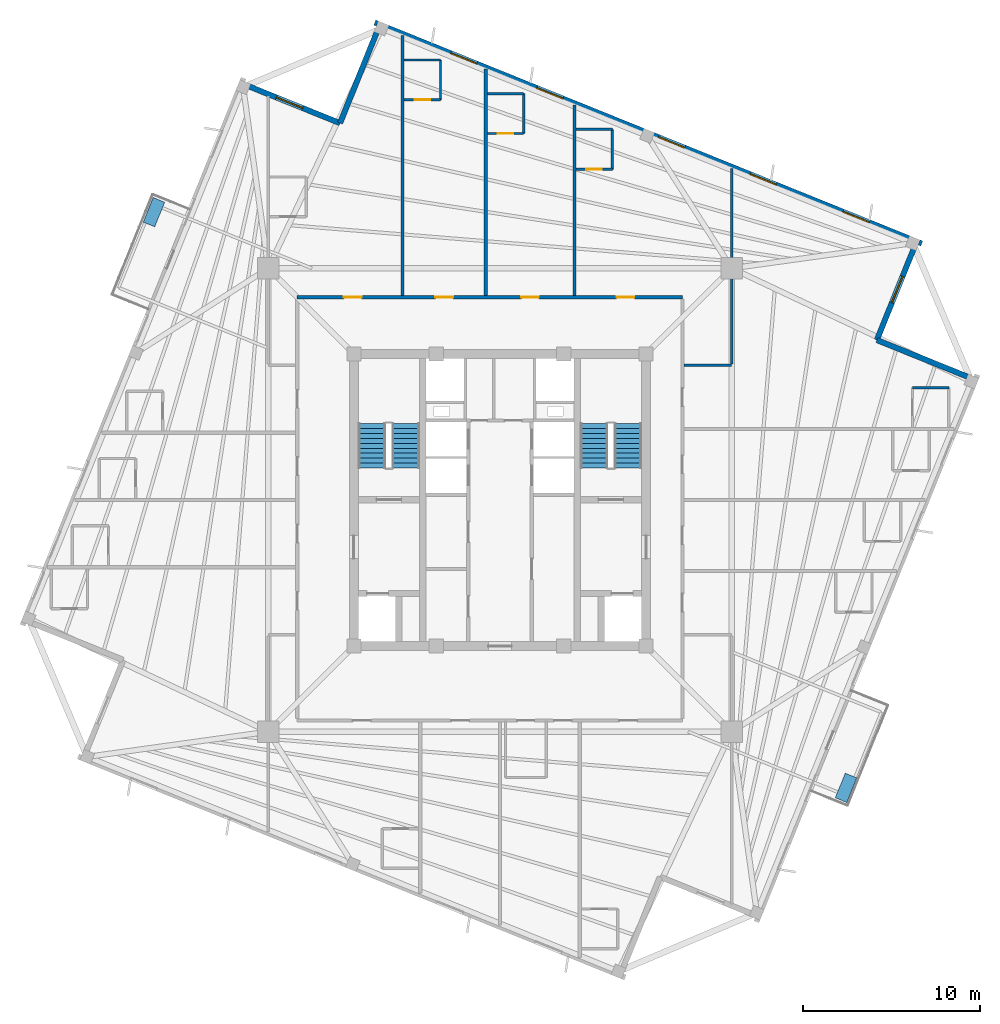
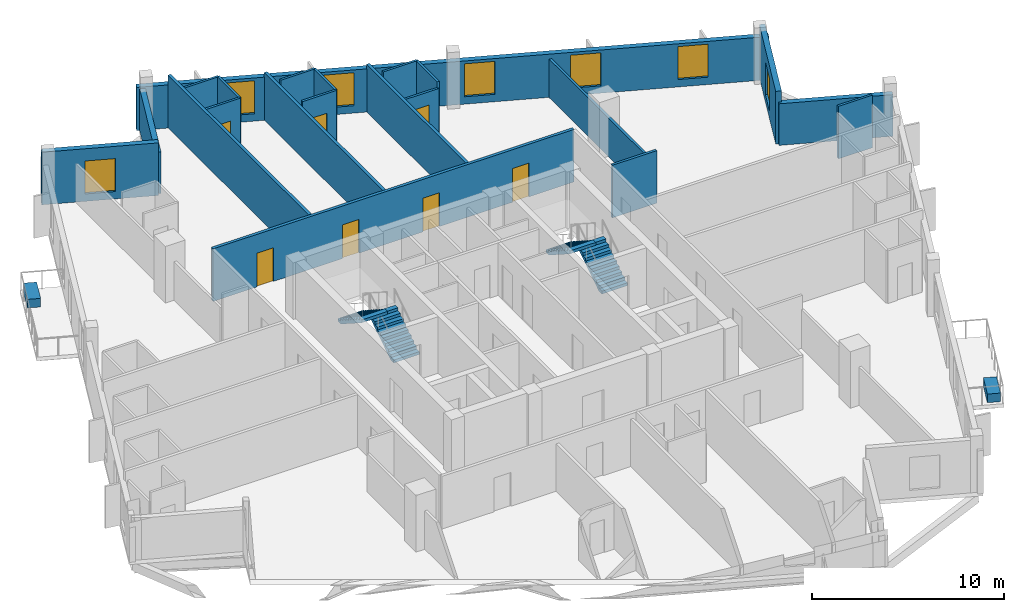
# One storey, part 6 of 9: 21 walls, 7 doors, 7 windows, 4 stair flights, 2 discrete accessories, 14 openings, 2 elements without a shape of their own.
"""IFC4 building model written with IfcOpenShell, lengths in metres."""

from ifc_helpers import new_model, si_unit, direction, frame, frame_2d, origin, origin_2d, place, context, subcontext, project, spatial, polyline, rectangle, outline, extrude, source, transform, mapped, material, layer, layer_set, type_object, element, fill, aggregate, save


model = new_model("IFC4")

# Units and contexts
model_context = context("Model", 3, precision=1e-05, world=origin(), true_north=direction((0.0, 1.0)))
body_context = subcontext(model_context, "Body", "Model", "MODEL_VIEW")
ifc_project = project(units=[si_unit("LENGTHUNIT", "METRE"), si_unit("AREAUNIT", "SQUARE_METRE"), si_unit("VOLUMEUNIT", "CUBIC_METRE"), si_unit("PLANEANGLEUNIT", "RADIAN"), si_unit("MASSUNIT", "GRAM", prefix="KILO"), si_unit("THERMODYNAMICTEMPERATUREUNIT", "KELVIN")], contexts=[model_context])

# Site, building, storey
site_placement = place(None, origin())
site = spatial("IfcSite", under=ifc_project, at=site_placement, CompositionType="ELEMENT")
building_placement = place(site_placement, origin())
building = spatial("IfcBuilding", under=site, at=building_placement, Name="Kosmvard Interchange Tower", CompositionType="ELEMENT")
storey_placement = place(building_placement, frame((0.0, 0.0, 283.199951171875)))
storey = spatial("IfcBuildingStorey", under=building, at=storey_placement, Name="L69", CompositionType="ELEMENT", Elevation=283.199951171875)

# Walls
ifc_material_1 = material(Name="Acoustic gypsum partition system")
ifc_layer_1 = layer(ifc_material_1, 0.14990234375, Name="Acoustic gypsum partition system")
ifc_layer_set_1 = layer_set([ifc_layer_1], Name="Acoustic gypsum partition system")
wall_type_1 = type_object("IfcWallType", Name="Acoustic Suite & Meeting Partition 150", PredefinedType="PARTITIONING", material=ifc_layer_set_1)
wall_1_placement = place(storey_placement, frame((10.39501953125, 7.60009765625, 0.0), z_axis=(0.0, 0.0, 1.0), x_axis=(1.0, 0.0, 0.0)))
element("IfcWall", 1, at=wall_1_placement, inside=storey, type_object=wall_type_1, Name="L69 Room Partition 15.1", PredefinedType="PARTITIONING", context=body_context, shape_type="SweptSolid", body=[
    extrude(rectangle(XDim=2.68603515625, YDim=0.14990234375, at=frame_2d((1.343017578125, 0.0))), origin(), (0.0, 0.0, 1.0), 3.35009765625),
])
wall_2_placement = place(storey_placement, frame((13.0810546875, 7.675048828125, 0.0), z_axis=(0.0, 0.0, 1.0), x_axis=(0.0, 1.0, 0.0)))
element("IfcWall", 2, at=wall_2_placement, inside=storey, type_object=wall_type_1, Name="L69 Room Partition 16.1", PredefinedType="PARTITIONING", context=body_context, shape_type="SweptSolid", body=[
    extrude(rectangle(XDim=11.042724609375, YDim=0.14990234375, at=frame_2d((5.521484375, 0.0))), origin(), (0.0, 0.0, 1.0), 2.449951171875),
])

# Wall, openings, doors
ifc_material_2 = material(Name="Fire-rated gypsum partition system")
ifc_layer_2 = layer(ifc_material_2, 0.179931640625, Name="Fire-rated gypsum partition system")
ifc_layer_set_2 = layer_set([ifc_layer_2], Name="Fire-rated gypsum partition system")
wall_type_2 = type_object("IfcWallType", Name="Corridor & Hotel Compartment Partition 180", PredefinedType="PARTITIONING", material=ifc_layer_set_2)
wall_3_placement = place(storey_placement, frame((-11.449951171875, 11.449951171875, 0.0), z_axis=(0.0, 0.0, 1.0), x_axis=(1.0, 0.0, 0.0)))
wall_3 = element("IfcWall", 3, at=wall_3_placement, inside=storey, type_object=wall_type_2, Name="L69 Corridor Wall CN", PredefinedType="PARTITIONING", context=body_context, shape_type="SweptSolid", body=[
    extrude(rectangle(XDim=21.75, YDim=0.179931640625, at=frame_2d((10.875, 0.0))), origin(), (0.0, 0.0, 1.0), 3.35009765625),
])
opening_1_placement = place(wall_3_placement, frame((2.639404296875, 0.0, 0.0)))
opening_1 = element("IfcOpeningElement", 4, at=opening_1_placement, cuts=wall_3, Name="Opening L69-D06", PredefinedType="OPENING", context=body_context, shape_type="SweptSolid", body=[
    extrude(rectangle(XDim=1.0, YDim=2.14990234375, at=frame_2d((0.5, 1.074951171875))), frame((0.0, 0.10009765625, 0.0), z_axis=(0.0, -1.0, 0.0), x_axis=(1.0, 0.0, 0.0)), (0.0, 0.0, 1.0), 0.199951171875),
])
opening_2_placement = place(wall_3_placement, frame((7.800048828125, 0.0, 0.0)))
opening_2 = element("IfcOpeningElement", 5, at=opening_2_placement, cuts=wall_3, Name="Opening L69-D08", PredefinedType="OPENING", context=body_context, shape_type="SweptSolid", body=[
    extrude(rectangle(XDim=1.0, YDim=2.14990234375, at=frame_2d((0.5, 1.074951171875))), frame((0.0, 0.10009765625, 0.0), z_axis=(0.0, -1.0, 0.0), x_axis=(1.0, 0.0, 0.0)), (0.0, 0.0, 1.0), 0.199951171875),
])
opening_3_placement = place(wall_3_placement, frame((12.64990234375, 0.0, 0.0)))
opening_3 = element("IfcOpeningElement", 6, at=opening_3_placement, cuts=wall_3, Name="Opening L69-D10", PredefinedType="OPENING", context=body_context, shape_type="SweptSolid", body=[
    extrude(rectangle(XDim=1.0, YDim=2.14990234375, at=frame_2d((0.5, 1.074951171875))), frame((0.0, 0.10009765625, 0.0), z_axis=(0.0, -1.0, 0.0), x_axis=(1.0, 0.0, 0.0)), (0.0, 0.0, 1.0), 0.199951171875),
])
opening_4_placement = place(wall_3_placement, frame((18.03564453125, 0.0, 0.0)))
opening_4 = element("IfcOpeningElement", 7, at=opening_4_placement, cuts=wall_3, Name="Opening L69-D12", PredefinedType="OPENING", context=body_context, shape_type="SweptSolid", body=[
    extrude(rectangle(XDim=1.0, YDim=2.14990234375, at=frame_2d((0.5, 1.074951171875))), frame((0.0, 0.10009765625, 0.0), z_axis=(0.0, -1.0, 0.0), x_axis=(1.0, 0.0, 0.0)), (0.0, 0.0, 1.0), 0.199951171875),
])
ifc_material_3 = material(Name="Engineered oak fire-rated timber", Category="wood")
door_type_1 = type_object("IfcDoorType", Name="Hotel Guestroom Entrance Door 1000x2150 EI60", OperationType="NOTDEFINED", PredefinedType="DOOR", material=ifc_material_3)
shared_shape_1 = source(origin(), body_context, "Body", "SweptSolid", [
    extrude(rectangle(XDim=1.0, YDim=2.14990234375, at=frame_2d((0.5, 1.074951171875))), frame((0.0, 0.02490234375, 0.0), z_axis=(0.0, -1.0, 0.0), x_axis=(1.0, 0.0, 0.0)), (0.0, 0.0, 1.0), 0.050048828125),
])
door_1_placement = place(opening_1_placement, origin())
door_1 = element("IfcDoor", 8, at=door_1_placement, inside=storey, type_object=door_type_1, Name="L69 Hotel Standard Junior Suite 3 Door", OperationType="SINGLE_SWING_RIGHT", OverallHeight=2.14990234375, OverallWidth=1.0, PredefinedType="DOOR", context=body_context, shape_type="MappedRepresentation", body=[
    mapped(shared_shape_1, transform((0.0, 0.0, 0.0), scale=1.0)),
])
fill(opening_1, door_1)
door_2_placement = place(opening_2_placement, origin())
door_2 = element("IfcDoor", 9, at=door_2_placement, inside=storey, type_object=door_type_1, Name="L69 Hotel Corner Suite 1 Door", OperationType="SINGLE_SWING_RIGHT", OverallHeight=2.14990234375, OverallWidth=1.0, PredefinedType="DOOR", context=body_context, shape_type="MappedRepresentation", body=[
    mapped(shared_shape_1, transform((0.0, 0.0, 0.0), scale=1.0)),
])
fill(opening_2, door_2)
door_3_placement = place(opening_3_placement, origin())
door_3 = element("IfcDoor", 10, at=door_3_placement, inside=storey, type_object=door_type_1, Name="L69 Hotel Twin Guest Room 4 Door", OperationType="SINGLE_SWING_RIGHT", OverallHeight=2.14990234375, OverallWidth=1.0, PredefinedType="DOOR", context=body_context, shape_type="MappedRepresentation", body=[
    mapped(shared_shape_1, transform((0.0, 0.0, 0.0), scale=1.0)),
])
fill(opening_3, door_3)
door_4_placement = place(opening_4_placement, origin())
door_4 = element("IfcDoor", 11, at=door_4_placement, inside=storey, type_object=door_type_1, Name="L69 Hotel Queen Junior Suite 5 Door", OperationType="SINGLE_SWING_RIGHT", OverallHeight=2.14990234375, OverallWidth=1.0, PredefinedType="DOOR", context=body_context, shape_type="MappedRepresentation", body=[
    mapped(shared_shape_1, transform((0.0, 0.0, 0.0), scale=1.0)),
])
fill(opening_4, door_4)

# Walls
wall_4_placement = place(storey_placement, frame((-5.5, 11.544921875, 0.0), z_axis=(0.0, 0.0, 1.0), x_axis=(0.0, 1.0, 0.0)))
element("IfcWall", 12, at=wall_4_placement, inside=storey, type_object=wall_type_2, Name="L69 Room Partition 01.1", PredefinedType="PARTITIONING", context=body_context, shape_type="SweptSolid", body=[
    extrude(rectangle(XDim=14.679931640625, YDim=0.179931640625, at=frame_2d((7.33984375, 0.0))), origin(), (0.0, 0.0, 1.0), 3.35009765625),
])
wall_5_placement = place(storey_placement, frame((-0.800048828125, 11.544921875, 0.0), z_axis=(0.0, 0.0, 1.0), x_axis=(0.0, 1.0, 0.0)))
element("IfcWall", 13, at=wall_5_placement, inside=storey, type_object=wall_type_2, Name="L69 Room Partition 02.1", PredefinedType="PARTITIONING", context=body_context, shape_type="SweptSolid", body=[
    extrude(rectangle(XDim=12.781005859375, YDim=0.179931640625, at=frame_2d((6.390625, 0.0))), origin(), (0.0, 0.0, 1.0), 3.02001953125),
])
wall_6_placement = place(storey_placement, frame((4.199951171875, 11.544921875, 0.0), z_axis=(0.0, 0.0, 1.0), x_axis=(0.0, 1.0, 0.0)))
element("IfcWall", 14, at=wall_6_placement, inside=storey, type_object=wall_type_2, Name="L69 Room Partition 03.1", PredefinedType="PARTITIONING", context=body_context, shape_type="SweptSolid", body=[
    extrude(rectangle(XDim=10.760986328125, YDim=0.179931640625, at=frame_2d((5.38037109375, 0.0))), origin(), (0.0, 0.0, 1.0), 3.02001953125),
])
ifc_material_4 = material(Name="Precast concrete C45/55", Category="concrete")
ifc_layer_3 = layer(ifc_material_4, 0.31005859375, Name="Precast concrete C45/55")
ifc_layer_set_3 = layer_set([ifc_layer_3], Name="Precast concrete C45/55")
wall_type_3 = type_object("IfcWallType", Name="Upper Tower Precast Pier Wall 310 C45/55", PredefinedType="STANDARD", material=ifc_layer_set_3)
wall_7_placement = place(storey_placement, frame((26.8408203125, 6.7841796875, 0.0), z_axis=(0.0, 0.0, 1.0), x_axis=(-0.927171722085, 0.374636620962, 0.0)))
element("IfcWall", 15, at=wall_7_placement, inside=storey, type_object=wall_type_3, Name="L69 Precast Facade Wall N-SE1", PredefinedType="STANDARD", context=body_context, shape_type="SweptSolid", body=[
    extrude(rectangle(XDim=6.0, YDim=0.31005859375, at=frame_2d((3.0, 0.0))), origin(), (0.0, 0.0, 1.0), 2.650146484375),
])

# Wall, opening, window
wall_8_placement = place(storey_placement, frame((21.27783203125, 9.031982421875, 0.0), z_axis=(0.0, 0.0, 1.0), x_axis=(0.374602739196, 0.927185411764, 0.0)))
wall_8 = element("IfcWall", 16, at=wall_8_placement, inside=storey, type_object=wall_type_3, Name="L69 Precast Facade Wall N-SE2", PredefinedType="STANDARD", context=body_context, shape_type="SweptSolid", body=[
    extrude(rectangle(XDim=6.155029296875, YDim=0.31005859375, at=frame_2d((3.07763671875, 0.0))), origin(), (0.0, 0.0, 1.0), 3.35009765625),
])
opening_5_placement = place(wall_8_placement, frame((2.277587890625, 0.0, 0.469970703125)))
opening_5 = element("IfcOpeningElement", 17, at=opening_5_placement, cuts=wall_8, Name="Opening L69-W21", PredefinedType="OPENING", context=body_context, shape_type="SweptSolid", body=[
    extrude(rectangle(XDim=1.60009765625, YDim=2.10009765625, at=frame_2d((0.800048828125, 1.050048828125))), frame((0.0, 0.1650390625, 0.0), z_axis=(0.0, -1.0, 0.0), x_axis=(1.0, 0.0, 0.0)), (0.0, 0.0, 1.0), 0.330078125),
])
ifc_material_5 = material(Name="Low-E acoustic double glazing", Category="glass")
window_type = type_object("IfcWindowType", Name="Zone 5 Hotel Punched Window 1600x2100", PartitioningType="SINGLE_PANEL", PredefinedType="WINDOW", material=ifc_material_5)
shared_shape_2 = source(origin(), body_context, "Body", "SweptSolid", [
    extrude(rectangle(XDim=1.60009765625, YDim=2.10009765625, at=frame_2d((0.800048828125, 1.050048828125))), frame((0.0, 0.030029296875, 0.0), z_axis=(0.0, -1.0, 0.0), x_axis=(1.0, 0.0, 0.0)), (0.0, 0.0, 1.0), 0.06005859375),
])
window_1_placement = place(opening_5_placement, origin())
window_1 = element("IfcWindow", 18, at=window_1_placement, inside=storey, type_object=window_type, Name="L69 Corner Notch Window 21", OverallHeight=2.10009765625, OverallWidth=1.60009765625, PartitioningType="SINGLE_PANEL", PredefinedType="WINDOW", context=body_context, shape_type="MappedRepresentation", body=[
    mapped(shared_shape_2, transform((0.0, 0.0, 0.0), scale=1.0)),
])
fill(opening_5, window_1)

# Wall, openings, windows
wall_9_placement = place(storey_placement, frame((23.812744140625, 14.478759765625, 0.0), z_axis=(0.0, 0.0, 1.0), x_axis=(-0.927182657188, 0.374609557019, 0.0)))
wall_9 = element("IfcWall", 19, at=wall_9_placement, inside=storey, type_object=wall_type_3, Name="L69 Precast Facade Wall F-E", PredefinedType="STANDARD", context=body_context, shape_type="SweptSolid", body=[
    extrude(rectangle(XDim=33.31005859375, YDim=0.31005859375, at=frame_2d((16.655029296875, 0.0))), origin(), (0.0, 0.0, 1.0), 2.75),
])
opening_6_placement = place(wall_9_placement, frame((3.197265625, 0.0, 0.469970703125)))
opening_6 = element("IfcOpeningElement", 20, at=opening_6_placement, cuts=wall_9, Name="Opening L69-W06", PredefinedType="OPENING", context=body_context, shape_type="SweptSolid", body=[
    extrude(rectangle(XDim=1.60009765625, YDim=2.10009765625, at=frame_2d((0.800048828125, 1.050048828125))), frame((0.0, 0.1650390625, 0.0), z_axis=(0.0, -1.0, 0.0), x_axis=(1.0, 0.0, 0.0)), (0.0, 0.0, 1.0), 0.330078125),
])
opening_7_placement = place(wall_9_placement, frame((8.85986328125, 0.0, 0.469970703125)))
opening_7 = element("IfcOpeningElement", 21, at=opening_7_placement, cuts=wall_9, Name="Opening L69-W07", PredefinedType="OPENING", context=body_context, shape_type="SweptSolid", body=[
    extrude(rectangle(XDim=1.60009765625, YDim=2.10009765625, at=frame_2d((0.800048828125, 1.050048828125))), frame((0.0, 0.1650390625, 0.0), z_axis=(0.0, -1.0, 0.0), x_axis=(1.0, 0.0, 0.0)), (0.0, 0.0, 1.0), 0.330078125),
])
opening_8_placement = place(wall_9_placement, frame((14.438720703125, 0.0, 0.469970703125)))
opening_8 = element("IfcOpeningElement", 22, at=opening_8_placement, cuts=wall_9, Name="Opening L69-W08", PredefinedType="OPENING", context=body_context, shape_type="SweptSolid", body=[
    extrude(rectangle(XDim=1.60009765625, YDim=2.10009765625, at=frame_2d((0.800048828125, 1.050048828125))), frame((0.0, 0.1650390625, 0.0), z_axis=(0.0, -1.0, 0.0), x_axis=(1.0, 0.0, 0.0)), (0.0, 0.0, 1.0), 0.330078125),
])
opening_9_placement = place(wall_9_placement, frame((21.850830078125, 0.0, 0.469970703125)))
opening_9 = element("IfcOpeningElement", 23, at=opening_9_placement, cuts=wall_9, Name="Opening L69-W09", PredefinedType="OPENING", context=body_context, shape_type="SweptSolid", body=[
    extrude(rectangle(XDim=1.60009765625, YDim=2.10009765625, at=frame_2d((0.800048828125, 1.050048828125))), frame((0.0, 0.1650390625, 0.0), z_axis=(0.0, -1.0, 0.0), x_axis=(1.0, 0.0, 0.0)), (0.0, 0.0, 1.0), 0.330078125),
])
opening_10_placement = place(wall_9_placement, frame((27.0966796875, 0.0, 0.469970703125)))
opening_10 = element("IfcOpeningElement", 24, at=opening_10_placement, cuts=wall_9, Name="Opening L69-W10", PredefinedType="OPENING", context=body_context, shape_type="SweptSolid", body=[
    extrude(rectangle(XDim=1.60009765625, YDim=2.10009765625, at=frame_2d((0.800048828125, 1.050048828125))), frame((0.0, 0.1650390625, 0.0), z_axis=(0.0, -1.0, 0.0), x_axis=(1.0, 0.0, 0.0)), (0.0, 0.0, 1.0), 0.330078125),
])
window_2_placement = place(opening_6_placement, origin())
window_2 = element("IfcWindow", 25, at=window_2_placement, inside=storey, type_object=window_type, Name="L69 Facade Punched Window 06", OverallHeight=2.10009765625, OverallWidth=1.60009765625, PartitioningType="SINGLE_PANEL", PredefinedType="WINDOW", context=body_context, shape_type="MappedRepresentation", body=[
    mapped(shared_shape_2, transform((0.0, 0.0, 0.0), scale=1.0)),
])
fill(opening_6, window_2)
window_3_placement = place(opening_7_placement, origin())
window_3 = element("IfcWindow", 26, at=window_3_placement, inside=storey, type_object=window_type, Name="L69 Facade Punched Window 07", OverallHeight=2.10009765625, OverallWidth=1.60009765625, PartitioningType="SINGLE_PANEL", PredefinedType="WINDOW", context=body_context, shape_type="MappedRepresentation", body=[
    mapped(shared_shape_2, transform((0.0, 0.0, 0.0), scale=1.0)),
])
fill(opening_7, window_3)
window_4_placement = place(opening_8_placement, origin())
window_4 = element("IfcWindow", 27, at=window_4_placement, inside=storey, type_object=window_type, Name="L69 Facade Punched Window 08", OverallHeight=2.10009765625, OverallWidth=1.60009765625, PartitioningType="SINGLE_PANEL", PredefinedType="WINDOW", context=body_context, shape_type="MappedRepresentation", body=[
    mapped(shared_shape_2, transform((0.0, 0.0, 0.0), scale=1.0)),
])
fill(opening_8, window_4)
window_5_placement = place(opening_9_placement, origin())
window_5 = element("IfcWindow", 28, at=window_5_placement, inside=storey, type_object=window_type, Name="L69 Facade Punched Window 09", OverallHeight=2.10009765625, OverallWidth=1.60009765625, PartitioningType="SINGLE_PANEL", PredefinedType="WINDOW", context=body_context, shape_type="MappedRepresentation", body=[
    mapped(shared_shape_2, transform((0.0, 0.0, 0.0), scale=1.0)),
])
fill(opening_9, window_5)
window_6_placement = place(opening_10_placement, origin())
window_6 = element("IfcWindow", 29, at=window_6_placement, inside=storey, type_object=window_type, Name="L69 Facade Punched Window 10", OverallHeight=2.10009765625, OverallWidth=1.60009765625, PartitioningType="SINGLE_PANEL", PredefinedType="WINDOW", context=body_context, shape_type="MappedRepresentation", body=[
    mapped(shared_shape_2, transform((0.0, 0.0, 0.0), scale=1.0)),
])
fill(opening_10, window_6)

# Wall
wall_10_placement = place(storey_placement, frame((-6.7841796875, 26.8408203125, 0.0), z_axis=(0.0, 0.0, 1.0), x_axis=(-0.374636620962, -0.927171722085, 0.0)))
element("IfcWall", 30, at=wall_10_placement, inside=storey, type_object=wall_type_3, Name="L69 Precast Facade Wall N-NE1", PredefinedType="STANDARD", context=body_context, shape_type="SweptSolid", body=[
    extrude(rectangle(XDim=6.0, YDim=0.31005859375, at=frame_2d((3.0, 0.0))), origin(), (0.0, 0.0, 1.0), 2.650146484375),
])

# Wall, opening, window
wall_11_placement = place(storey_placement, frame((-9.031982421875, 21.27783203125, 0.0), z_axis=(0.0, 0.0, 1.0), x_axis=(-0.927185411764, 0.374602739196, 0.0)))
wall_11 = element("IfcWall", 31, at=wall_11_placement, inside=storey, type_object=wall_type_3, Name="L69 Precast Facade Wall N-NE2", PredefinedType="STANDARD", context=body_context, shape_type="SweptSolid", body=[
    extrude(rectangle(XDim=6.155029296875, YDim=0.31005859375, at=frame_2d((3.07763671875, 0.0))), origin(), (0.0, 0.0, 1.0), 3.35009765625),
])
opening_11_placement = place(wall_11_placement, frame((2.277587890625, 0.0, 0.469970703125)))
opening_11 = element("IfcOpeningElement", 32, at=opening_11_placement, cuts=wall_11, Name="Opening L69-W22", PredefinedType="OPENING", context=body_context, shape_type="SweptSolid", body=[
    extrude(rectangle(XDim=1.60009765625, YDim=2.10009765625, at=frame_2d((0.800048828125, 1.050048828125))), frame((0.0, 0.1650390625, 0.0), z_axis=(0.0, -1.0, 0.0), x_axis=(1.0, 0.0, 0.0)), (0.0, 0.0, 1.0), 0.330078125),
])
window_7_placement = place(opening_11_placement, origin())
window_7 = element("IfcWindow", 33, at=window_7_placement, inside=storey, type_object=window_type, Name="L69 Corner Notch Window 22", OverallHeight=2.10009765625, OverallWidth=1.60009765625, PartitioningType="SINGLE_PANEL", PredefinedType="WINDOW", context=body_context, shape_type="MappedRepresentation", body=[
    mapped(shared_shape_2, transform((0.0, 0.0, 0.0), scale=1.0)),
])
fill(opening_11, window_7)

# Wall, opening, door
ifc_material_6 = material(Name="Moisture-resistant gypsum partition")
ifc_layer_4 = layer(ifc_material_6, 0.135009765625, Name="Moisture-resistant gypsum partition")
ifc_layer_set_4 = layer_set([ifc_layer_4], Name="Moisture-resistant gypsum partition")
wall_type_4 = type_object("IfcWallType", Name="Wet Room Moisture-Resistant Partition 135", PredefinedType="PARTITIONING", material=ifc_layer_set_4)
wall_12_placement = place(storey_placement, frame((-5.409912109375, 22.591552734375, 0.0), z_axis=(0.0, 0.0, 1.0), x_axis=(1.0, 0.0, 0.0)))
wall_12 = element("IfcWall", 34, at=wall_12_placement, inside=storey, type_object=wall_type_4, Name="L69 En-Suite Partition HCS1-S", PredefinedType="PARTITIONING", context=body_context, shape_type="SweptSolid", body=[
    extrude(rectangle(XDim=2.0498046875, YDim=0.135009765625, at=frame_2d((1.02490234375, 0.0))), origin(), (0.0, 0.0, 1.0), 3.35009765625),
])
opening_12_placement = place(wall_12_placement, frame((0.5849609375, 0.0, 0.0)))
opening_12 = element("IfcOpeningElement", 35, at=opening_12_placement, cuts=wall_12, Name="Opening L69-ED09", PredefinedType="OPENING", context=body_context, shape_type="SweptSolid", body=[
    extrude(rectangle(XDim=0.8798828125, YDim=2.10009765625, at=frame_2d((0.43994140625, 1.050048828125))), frame((0.0, 0.07763671875, 0.0), z_axis=(0.0, -1.0, 0.0), x_axis=(1.0, 0.0, 0.0)), (0.0, 0.0, 1.0), 0.155029296875),
])
ifc_material_7 = material(Name="Laminated moisture-resistant timber", Category="wood")
door_type_2 = type_object("IfcDoorType", Name="En-Suite & Washroom Door 880x2100", OperationType="NOTDEFINED", PredefinedType="DOOR", material=ifc_material_7)
shared_shape_3 = source(origin(), body_context, "Body", "SweptSolid", [
    extrude(rectangle(XDim=0.8798828125, YDim=2.10009765625, at=frame_2d((0.43994140625, 1.050048828125))), frame((0.0, 0.02490234375, 0.0), z_axis=(0.0, -1.0, 0.0), x_axis=(1.0, 0.0, 0.0)), (0.0, 0.0, 1.0), 0.050048828125),
])
door_5_placement = place(opening_12_placement, origin())
door_5 = element("IfcDoor", 36, at=door_5_placement, inside=storey, type_object=door_type_2, Name="L69 HCS1 En-Suite Door", OperationType="SINGLE_SWING_RIGHT", OverallHeight=2.10009765625, OverallWidth=0.8798828125, PredefinedType="DOOR", context=body_context, shape_type="MappedRepresentation", body=[
    mapped(shared_shape_3, transform((0.0, 0.0, 0.0), scale=1.0)),
])
fill(opening_12, door_5)

# Walls
wall_13_placement = place(storey_placement, frame((-3.360107421875, 22.591552734375, 0.0), z_axis=(0.0, 0.0, 1.0), x_axis=(0.0, 1.0, 0.0)))
element("IfcWall", 37, at=wall_13_placement, inside=storey, type_object=wall_type_4, Name="L69 En-Suite Partition HCS1-E", PredefinedType="PARTITIONING", context=body_context, shape_type="SweptSolid", body=[
    extrude(rectangle(XDim=2.25, YDim=0.135009765625, at=frame_2d((1.125, 0.0))), origin(), (0.0, 0.0, 1.0), 3.35009765625),
])
wall_14_placement = place(storey_placement, frame((-5.409912109375, 24.841552734375, 0.0), z_axis=(0.0, 0.0, 1.0), x_axis=(1.0, 0.0, 0.0)))
element("IfcWall", 38, at=wall_14_placement, inside=storey, type_object=wall_type_4, Name="L69 En-Suite Partition HCS1-N", PredefinedType="PARTITIONING", context=body_context, shape_type="SweptSolid", body=[
    extrude(rectangle(XDim=2.0498046875, YDim=0.135009765625, at=frame_2d((1.02490234375, 0.0))), origin(), (0.0, 0.0, 1.0), 3.35009765625),
])

# Wall, opening, door
wall_15_placement = place(storey_placement, frame((-0.7099609375, 20.692626953125, 0.0), z_axis=(0.0, 0.0, 1.0), x_axis=(1.0, 0.0, 0.0)))
wall_15 = element("IfcWall", 39, at=wall_15_placement, inside=storey, type_object=wall_type_4, Name="L69 En-Suite Partition HGR4-S", PredefinedType="PARTITIONING", context=body_context, shape_type="SweptSolid", body=[
    extrude(rectangle(XDim=2.050048828125, YDim=0.135009765625, at=frame_2d((1.02490234375, 0.0))), origin(), (0.0, 0.0, 1.0), 3.35009765625),
])
opening_13_placement = place(wall_15_placement, frame((0.5849609375, 0.0, 0.0)))
opening_13 = element("IfcOpeningElement", 40, at=opening_13_placement, cuts=wall_15, Name="Opening L69-ED11", PredefinedType="OPENING", context=body_context, shape_type="SweptSolid", body=[
    extrude(rectangle(XDim=0.8798828125, YDim=2.10009765625, at=frame_2d((0.43994140625, 1.050048828125))), frame((0.0, 0.07763671875, 0.0), z_axis=(0.0, -1.0, 0.0), x_axis=(1.0, 0.0, 0.0)), (0.0, 0.0, 1.0), 0.155029296875),
])
door_6_placement = place(opening_13_placement, origin())
door_6 = element("IfcDoor", 41, at=door_6_placement, inside=storey, type_object=door_type_2, Name="L69 HGR4 En-Suite Door", OperationType="SINGLE_SWING_RIGHT", OverallHeight=2.10009765625, OverallWidth=0.8798828125, PredefinedType="DOOR", context=body_context, shape_type="MappedRepresentation", body=[
    mapped(shared_shape_3, transform((0.0, 0.0, 0.0), scale=1.0)),
])
fill(opening_13, door_6)

# Walls
wall_16_placement = place(storey_placement, frame((1.340087890625, 20.692626953125, 0.0), z_axis=(0.0, 0.0, 1.0), x_axis=(0.0, 1.0, 0.0)))
element("IfcWall", 42, at=wall_16_placement, inside=storey, type_object=wall_type_4, Name="L69 En-Suite Partition HGR4-E", PredefinedType="PARTITIONING", context=body_context, shape_type="SweptSolid", body=[
    extrude(rectangle(XDim=2.25, YDim=0.135009765625, at=frame_2d((1.125, 0.0))), origin(), (0.0, 0.0, 1.0), 3.35009765625),
])
wall_17_placement = place(storey_placement, frame((-0.7099609375, 22.942626953125, 0.0), z_axis=(0.0, 0.0, 1.0), x_axis=(1.0, 0.0, 0.0)))
element("IfcWall", 43, at=wall_17_placement, inside=storey, type_object=wall_type_4, Name="L69 En-Suite Partition HGR4-N", PredefinedType="PARTITIONING", context=body_context, shape_type="SweptSolid", body=[
    extrude(rectangle(XDim=2.050048828125, YDim=0.135009765625, at=frame_2d((1.02490234375, 0.0))), origin(), (0.0, 0.0, 1.0), 3.35009765625),
])

# Wall, opening, door
wall_18_placement = place(storey_placement, frame((4.2900390625, 18.672607421875, 0.0), z_axis=(0.0, 0.0, 1.0), x_axis=(1.0, 0.0, 0.0)))
wall_18 = element("IfcWall", 44, at=wall_18_placement, inside=storey, type_object=wall_type_4, Name="L69 En-Suite Partition HGR5-S", PredefinedType="PARTITIONING", context=body_context, shape_type="SweptSolid", body=[
    extrude(rectangle(XDim=2.050048828125, YDim=0.135009765625, at=frame_2d((1.02490234375, 0.0))), origin(), (0.0, 0.0, 1.0), 2.949951171875),
])
opening_14_placement = place(wall_18_placement, frame((0.5849609375, 0.0, 0.0)))
opening_14 = element("IfcOpeningElement", 45, at=opening_14_placement, cuts=wall_18, Name="Opening L69-ED13", PredefinedType="OPENING", context=body_context, shape_type="SweptSolid", body=[
    extrude(rectangle(XDim=0.8798828125, YDim=2.10009765625, at=frame_2d((0.43994140625, 1.050048828125))), frame((0.0, 0.07763671875, 0.0), z_axis=(0.0, -1.0, 0.0), x_axis=(1.0, 0.0, 0.0)), (0.0, 0.0, 1.0), 0.155029296875),
])
door_7_placement = place(opening_14_placement, origin())
door_7 = element("IfcDoor", 46, at=door_7_placement, inside=storey, type_object=door_type_2, Name="L69 HGR5 En-Suite Door", OperationType="SINGLE_SWING_RIGHT", OverallHeight=2.10009765625, OverallWidth=0.8798828125, PredefinedType="DOOR", context=body_context, shape_type="MappedRepresentation", body=[
    mapped(shared_shape_3, transform((0.0, 0.0, 0.0), scale=1.0)),
])
fill(opening_14, door_7)

# Walls
wall_19_placement = place(storey_placement, frame((6.340087890625, 18.672607421875, 0.0), z_axis=(0.0, 0.0, 1.0), x_axis=(0.0, 1.0, 0.0)))
element("IfcWall", 47, at=wall_19_placement, inside=storey, type_object=wall_type_4, Name="L69 En-Suite Partition HGR5-E", PredefinedType="PARTITIONING", context=body_context, shape_type="SweptSolid", body=[
    extrude(rectangle(XDim=2.25, YDim=0.135009765625, at=frame_2d((1.125, 0.0))), origin(), (0.0, 0.0, 1.0), 3.35009765625),
])
for number, where, z_axis, x_axis, name in (
    (48, (4.2900390625, 20.922607421875, 0.0), (0.0, 0.0, 1.0), (1.0, 0.0, 0.0), "L69 En-Suite Partition HGR5-N"),
    (49, (23.29150390625, 6.340087890625, 0.0), (0.0, 0.0, 1.0), (1.0, 0.0, 0.0), "L69 En-Suite Partition HCS2-N"),
):
    element("IfcWall", number, at=place(storey_placement, frame(where, z_axis=z_axis, x_axis=x_axis)), inside=storey, type_object=wall_type_4, Name=name, PredefinedType="PARTITIONING", context=body_context, shape_type="SweptSolid", body=[
        extrude(rectangle(XDim=2.050048828125, YDim=0.135009765625, at=frame_2d((1.02490234375, 0.0))), origin(), (0.0, 0.0, 1.0), 3.35009765625),
    ])

# Stair, stair flights
ifc_material_8 = material(Name="Concrete C50/60", Category="concrete")
stair_type = type_object("IfcStairType", Name="Dog-Leg Core Exit Stair H3600 C50/60", PredefinedType="HALF_TURN_STAIR", material=ifc_material_8)
stair_1_placement = place(storey_placement, origin())
stair_1 = element("IfcStair", 50, at=stair_1_placement, inside=storey, type_object=stair_type, Name="L69 Protected Exit Stair ST-1", PredefinedType="HALF_TURN_STAIR")
stair_flight_type = type_object("IfcStairFlightType", Name="Core Stair Flight W1550 H3600 C50/60", PredefinedType="STRAIGHT", material=ifc_material_8)
shared_shape_4 = source(origin(), body_context, "Body", "SweptSolid", [
    extrude(outline(polyline([(0.0, 0.0), (0.0, 0.179931640625), (0.280029296875, 0.179931640625), (0.280029296875, 0.360107421875), (0.56005859375, 0.360107421875), (0.56005859375, 0.5400390625), (0.840087890625, 0.5400390625), (0.840087890625, 0.719970703125), (1.1201171875, 0.719970703125), (1.1201171875, 0.89990234375), (1.39990234375, 0.89990234375), (1.39990234375, 1.080078125), (1.679931640625, 1.080078125), (1.679931640625, 1.260009765625), (1.9599609375, 1.260009765625), (1.9599609375, 1.43994140625), (2.239990234375, 1.43994140625), (2.239990234375, 1.6201171875), (2.52001953125, 1.6201171875), (2.52001953125, 1.800048828125), (2.52001953125, 1.429931640625), (0.295654296875, 0.0), (0.0, 0.0)])), frame((0.0, 0.77490234375, 0.0), z_axis=(0.0, -1.0, 0.0), x_axis=(1.0, 0.0, 0.0)), (0.0, 0.0, 1.0), 1.550048828125),
])
stair_flight_1_placement = place(storey_placement, frame((-5.31494140625, 1.800048828125, 0.0), z_axis=(0.0, 0.0, 1.0), x_axis=(0.0, 1.0, 0.0)))
stair_flight_1 = element("IfcStairFlight", 51, at=stair_flight_1_placement, type_object=stair_flight_type, Name="ST-1 flight 1", NumberOfRisers=10, NumberOfTreads=9, PredefinedType="STRAIGHT", RiserHeight=0.18, TreadLength=0.28, context=body_context, shape_type="MappedRepresentation", body=[
    mapped(shared_shape_4, transform((0.0, 0.0, 0.0), scale=1.0)),
])
stair_flight_2_placement = place(storey_placement, frame((-7.22509765625, 4.320068359375, 1.800048828125), z_axis=(0.0, 0.0, 1.0), x_axis=(0.0, -1.0, 0.0)))
stair_flight_2 = element("IfcStairFlight", 52, at=stair_flight_2_placement, type_object=stair_flight_type, Name="ST-1 flight 2", NumberOfRisers=10, NumberOfTreads=9, PredefinedType="STRAIGHT", RiserHeight=0.18, TreadLength=0.28, context=body_context, shape_type="MappedRepresentation", body=[
    mapped(shared_shape_4, transform((0.0, 0.0, 0.0), scale=1.0)),
])
aggregate(stair_1, [stair_flight_1, stair_flight_2])

stair_2_placement = place(storey_placement, origin())
stair_2 = element("IfcStair", 53, at=stair_2_placement, inside=storey, type_object=stair_type, Name="L69 Protected Exit Stair ST-2", PredefinedType="HALF_TURN_STAIR")
stair_flight_3_placement = place(storey_placement, frame((7.22509765625, 1.800048828125, 0.0), z_axis=(0.0, 0.0, 1.0), x_axis=(0.0, 1.0, 0.0)))
stair_flight_3 = element("IfcStairFlight", 54, at=stair_flight_3_placement, type_object=stair_flight_type, Name="ST-2 flight 1", NumberOfRisers=10, NumberOfTreads=9, PredefinedType="STRAIGHT", RiserHeight=0.18, TreadLength=0.28, context=body_context, shape_type="MappedRepresentation", body=[
    mapped(shared_shape_4, transform((0.0, 0.0, 0.0), scale=1.0)),
])
stair_flight_4_placement = place(storey_placement, frame((5.31494140625, 4.320068359375, 1.800048828125), z_axis=(0.0, 0.0, 1.0), x_axis=(0.0, -1.0, 0.0)))
stair_flight_4 = element("IfcStairFlight", 55, at=stair_flight_4_placement, type_object=stair_flight_type, Name="ST-2 flight 2", NumberOfRisers=10, NumberOfTreads=9, PredefinedType="STRAIGHT", RiserHeight=0.18, TreadLength=0.28, context=body_context, shape_type="MappedRepresentation", body=[
    mapped(shared_shape_4, transform((0.0, 0.0, 0.0), scale=1.0)),
])
aggregate(stair_2, [stair_flight_3, stair_flight_4])

# Discrete accessories
ifc_material_9 = material(Name="Terracotta precast planter concrete C45/55", Category="masonry")
discrete_accessory_type = type_object("IfcDiscreteAccessoryType", Name="Precast Tree-Balcony & Terrace Planter Box", PredefinedType="USERDEFINED", material=ifc_material_9)
shared_shape_5 = source(origin(), body_context, "Body", "SweptSolid", [
    extrude(rectangle(XDim=1.5, YDim=0.699951171875, at=origin_2d()), origin(), (0.0, 0.0, 1.0), 0.550048828125),
])
for number, where, z_axis, x_axis, name in (
    (56, (19.53466796875, -16.251220703125, 0.0), (0.0, 0.0, 1.0), (0.374606593416, 0.927183854567, 0.0), "L69 Balcony Tree Planter BAL-L69-S"),
    (57, (-19.53466796875, 16.251220703125, 0.0), (0.0, 0.0, 1.0), (0.374606593416, 0.927183854567, 0.0), "L69 Balcony Tree Planter BAL-L69-N"),
):
    element("IfcDiscreteAccessory", number, at=place(storey_placement, frame(where, z_axis=z_axis, x_axis=x_axis)), inside=storey, type_object=discrete_accessory_type, Name=name, ObjectType="PLANTER", PredefinedType="USERDEFINED", context=body_context, shape_type="MappedRepresentation", body=[
        mapped(shared_shape_5, transform((0.0, 0.0, 0.0), scale=1.0)),
    ])

save(model, "model.ifc")
